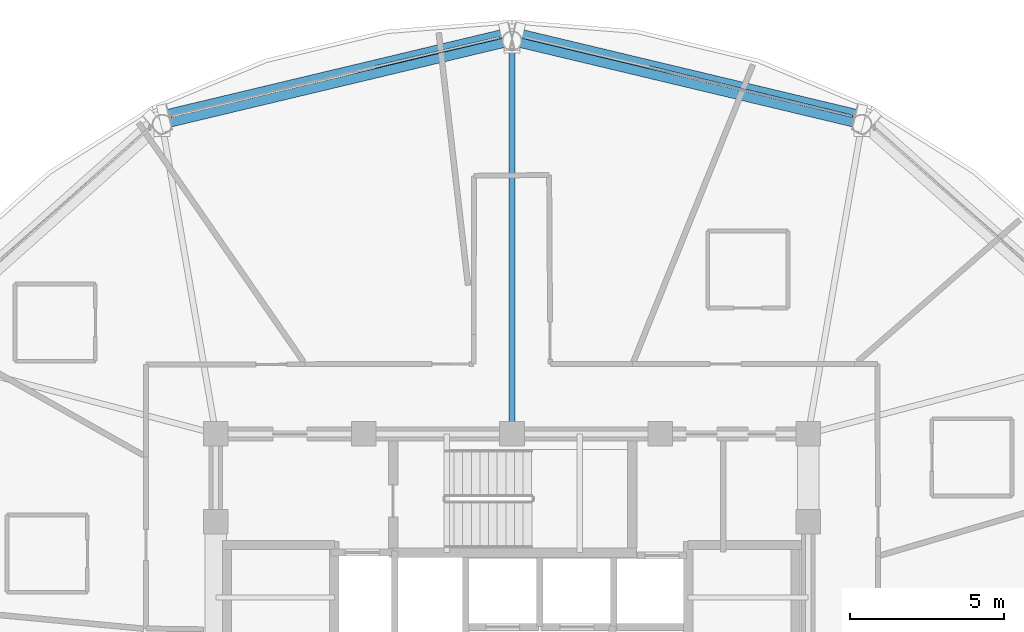
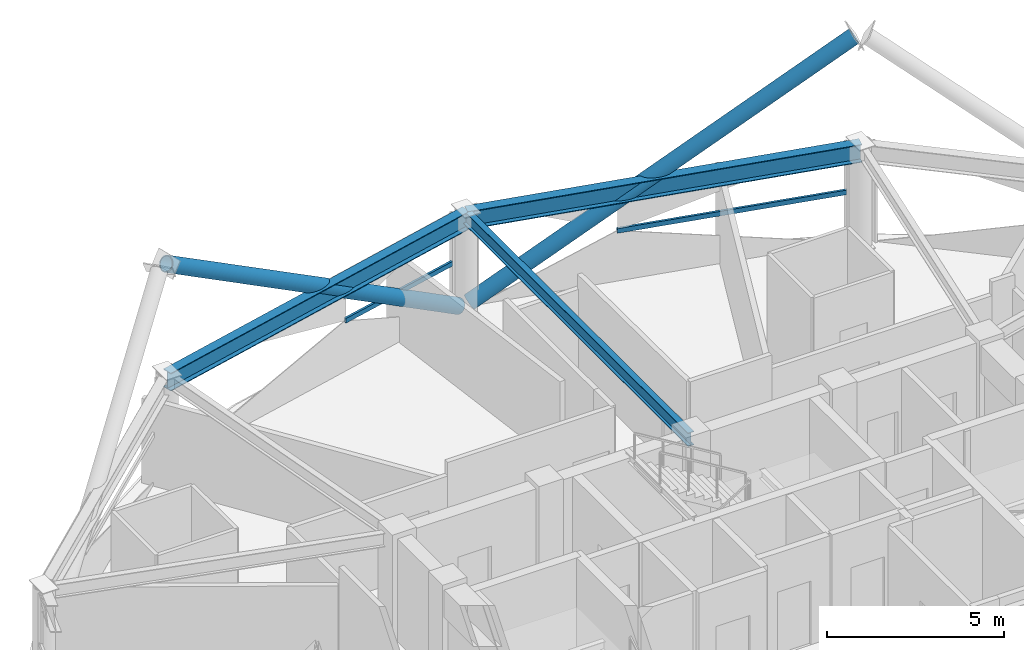
# One storey, part 18 of 30: 4 members, 3 beams, 2 elements without a shape of their own.
"""IFC4 building model written with IfcOpenShell, lengths in metres."""

from ifc_helpers import new_model, si_unit, direction, frame, origin, origin_2d, place, context, subcontext, project, spatial, hollow_rectangle, hollow_circle, i_section, extrude, material, layer, layer_set, material_profile, profile_set, type_object, element, aggregate, save


model = new_model("IFC4")

# Units and contexts
model_context = context("Model", 3, precision=1e-05, world=origin(), true_north=direction((0.0, 1.0)))
body_context = subcontext(model_context, "Body", "Model", "MODEL_VIEW")
ifc_project = project(units=[si_unit("LENGTHUNIT", "METRE"), si_unit("AREAUNIT", "SQUARE_METRE"), si_unit("VOLUMEUNIT", "CUBIC_METRE"), si_unit("PLANEANGLEUNIT", "RADIAN"), si_unit("MASSUNIT", "GRAM", prefix="KILO")], contexts=[model_context])

# Site, building, storey
site_placement = place(None, origin())
site = spatial("IfcSite", under=ifc_project, at=site_placement, CompositionType="ELEMENT")
building_placement = place(site_placement, origin())
building = spatial("IfcBuilding", under=site, at=building_placement, Name="Vantalir Tower", CompositionType="ELEMENT")
storey_placement = place(building_placement, frame((0.0, 0.0, 189.89990234375)))
storey = spatial("IfcBuildingStorey", under=building, at=storey_placement, Name="L47", CompositionType="ELEMENT", Elevation=189.89990234375)

# Beams
ifc_material_1 = material(Name="Steel S355", Category="steel")
ifc_material_profile_1 = material_profile(ifc_material_1, i_section(OverallWidth=0.19189453125, OverallDepth=0.462890625, WebThickness=0.010498046875, FlangeThickness=0.017578125, at=origin_2d()), Name="Steel S355")
ifc_profile_set_1 = profile_set([ifc_material_profile_1], Name="Steel S355")
beam_type_1 = type_object("IfcBeamType", Name="BM-RB-457x191", PredefinedType="BEAM", material=ifc_profile_set_1)
beam_placement = place(storey_placement, frame((31.5, 45.18798828125, 3.338134765625), z_axis=(0.0, -1.0, 0.0), x_axis=(1.0, 0.0, 0.0)))
element("IfcBeam", 1, at=beam_placement, inside=storey, type_object=beam_type_1, Name="L47 Radial Floor Beam 04", PredefinedType="BEAM", context=body_context, shape_type="SweptSolid", body=[
    extrude(i_section(OverallWidth=0.19189453125, OverallDepth=0.462890625, WebThickness=0.010498046875, FlangeThickness=0.017578125, at=origin_2d()), origin(), (0.0, 0.0, 1.0), 12.738037109375),
])
ifc_material_2 = material(Name="Steel S460", Category="steel")
ifc_material_profile_2 = material_profile(ifc_material_2, i_section(OverallWidth=0.306884765625, OverallDepth=0.6201171875, WebThickness=0.01416015625, FlangeThickness=0.023681640625, at=origin_2d()), Name="Steel S460")
ifc_profile_set_2 = profile_set([ifc_material_profile_2], Name="Steel S460")
beam_type_2 = type_object("IfcBeamType", Name="BM-RG-610x305", PredefinedType="USERDEFINED", material=ifc_profile_set_2)
for number, where, z_axis, x_axis, name in (
    (2, (42.837890625, 42.48291015625, 3.260009765625), (-0.972698236559, 0.232073567206, 0.0), (-0.232073567206, -0.972698236559, 0.0), "L47 Circumferential Ring Girder 03"),
    (3, (31.5, 45.18798828125, 3.260009765625), (-0.972698236559, -0.232073567206, 0.0), (0.232073567206, -0.972698236559, 0.0), "L47 Circumferential Ring Girder 04"),
):
    element("IfcBeam", number, at=place(storey_placement, frame(where, z_axis=z_axis, x_axis=x_axis)), inside=storey, type_object=beam_type_2, Name=name, ObjectType="GIRDER", PredefinedType="USERDEFINED", context=body_context, shape_type="SweptSolid", body=[
        extrude(i_section(OverallWidth=0.306884765625, OverallDepth=0.6201171875, WebThickness=0.01416015625, FlangeThickness=0.023681640625, at=origin_2d()), origin(), (0.0, 0.0, 1.0), 11.656005859375),
    ])

# Curtain wall, member
ifc_material_3 = material(Name="Champagne-silver PVDF aluminium and double-silver Low-E glass", Category="aluminium")
ifc_layer = layer(ifc_material_3, 0.2099609375)
ifc_layer_set = layer_set([ifc_layer], Name="Champagne-silver PVDF aluminium and double-silver Low-E glass")
curtain_wall_type = type_object("IfcCurtainWallType", Name="CW-DIAMOND-Z3", PredefinedType="USERDEFINED", material=ifc_layer_set)
curtain_wall_1_placement = place(storey_placement, origin())
curtain_wall_1 = element("IfcCurtainWall", 4, at=curtain_wall_1_placement, inside=storey, type_object=curtain_wall_type, Name="L47 Quilted Pyramid-Diamond Curtain Wall S03", ObjectType="UNITISED CURTAIN WALL", PredefinedType="USERDEFINED")
ifc_material_4 = material(Name="Champagne-silver PVDF aluminium 6063-T6", Category="aluminium")
ifc_material_profile_3 = material_profile(ifc_material_4, hollow_rectangle(XDim=0.074951171875, YDim=0.159912109375, WallThickness=0.00390625, at=origin_2d()), Name="Champagne-silver PVDF aluminium 6063-T6")
ifc_profile_set_3 = profile_set([ifc_material_profile_3], Name="Champagne-silver PVDF aluminium 6063-T6")
member_type_1 = type_object("IfcMemberType", Name="CWT-160x75", PredefinedType="USERDEFINED", material=ifc_profile_set_3)
member_1_placement = place(storey_placement, frame((42.533935546875, 42.742919921875, 1.78515625), z_axis=(-0.971813611067, 0.235750515048, 0.0), x_axis=(-0.235750515048, -0.971813611067, 0.0)))
member_1 = element("IfcMember", 5, at=member_1_placement, type_object=member_type_1, Name="CW-L47-S03 Pyramid Fold Ridge Transom", ObjectType="TRANSOM", PredefinedType="USERDEFINED", context=body_context, shape_type="SweptSolid", body=[
    extrude(hollow_rectangle(XDim=0.074951171875, YDim=0.159912109375, WallThickness=0.00390625, at=origin_2d()), origin(), (0.0, 0.0, 1.0), 6.779052734375),
])
aggregate(curtain_wall_1, [member_1])

curtain_wall_2_placement = place(storey_placement, origin())
curtain_wall_2 = element("IfcCurtainWall", 6, at=curtain_wall_2_placement, inside=storey, type_object=curtain_wall_type, Name="L47 Quilted Pyramid-Diamond Curtain Wall S04", ObjectType="UNITISED CURTAIN WALL", PredefinedType="USERDEFINED")
member_2_placement = place(storey_placement, frame((31.10107421875, 45.282958984375, 1.78515625), z_axis=(-0.973970632875, -0.226674229452, 0.0), x_axis=(0.226674229452, -0.973970632875, 0.0)))
member_2 = element("IfcMember", 7, at=member_2_placement, type_object=member_type_1, Name="CW-L47-S04 Pyramid Fold Ridge Transom", ObjectType="TRANSOM", PredefinedType="USERDEFINED", context=body_context, shape_type="SweptSolid", body=[
    extrude(hollow_rectangle(XDim=0.074951171875, YDim=0.159912109375, WallThickness=0.00390625, at=origin_2d()), origin(), (0.0, 0.0, 1.0), 4.1552734375),
])
aggregate(curtain_wall_2, [member_2])

# Members
ifc_material_profile_4 = material_profile(ifc_material_2, hollow_circle(Radius=0.25, WallThickness=0.031982421875, at=origin_2d()), Name="Steel S460")
ifc_profile_set_4 = profile_set([ifc_material_profile_4], Name="Steel S460")
member_type_2 = type_object("IfcMemberType", Name="MEM-DB-500x32", PredefinedType="BRACE", material=ifc_profile_set_4)
for number, where, z_axis, x_axis, name in (
    (8, (31.31689453125, 45.333984375, 0.194091796875), (-0.83064800481, -0.198307361748, 0.520286538728), (0.232212267374, -0.972665133991, 0.0), "L47 Perimeter S460 Diagrid Brace R10L"),
    (9, (31.68310546875, 45.333984375, 0.194091796875), (0.83064800481, -0.198307361748, 0.520286538728), (0.232212267374, 0.972665133991, 0.0), "L47 Perimeter S460 Diagrid Brace R10R"),
):
    element("IfcMember", number, at=place(storey_placement, frame(where, z_axis=z_axis, x_axis=x_axis)), inside=storey, type_object=member_type_2, Name=name, PredefinedType="BRACE", context=body_context, shape_type="SweptSolid", body=[
        extrude(hollow_circle(Radius=0.25, WallThickness=0.031982421875, at=origin_2d()), origin(), (0.0, 0.0, 1.0), 13.3232421875),
    ])

save(model, "model.ifc")
